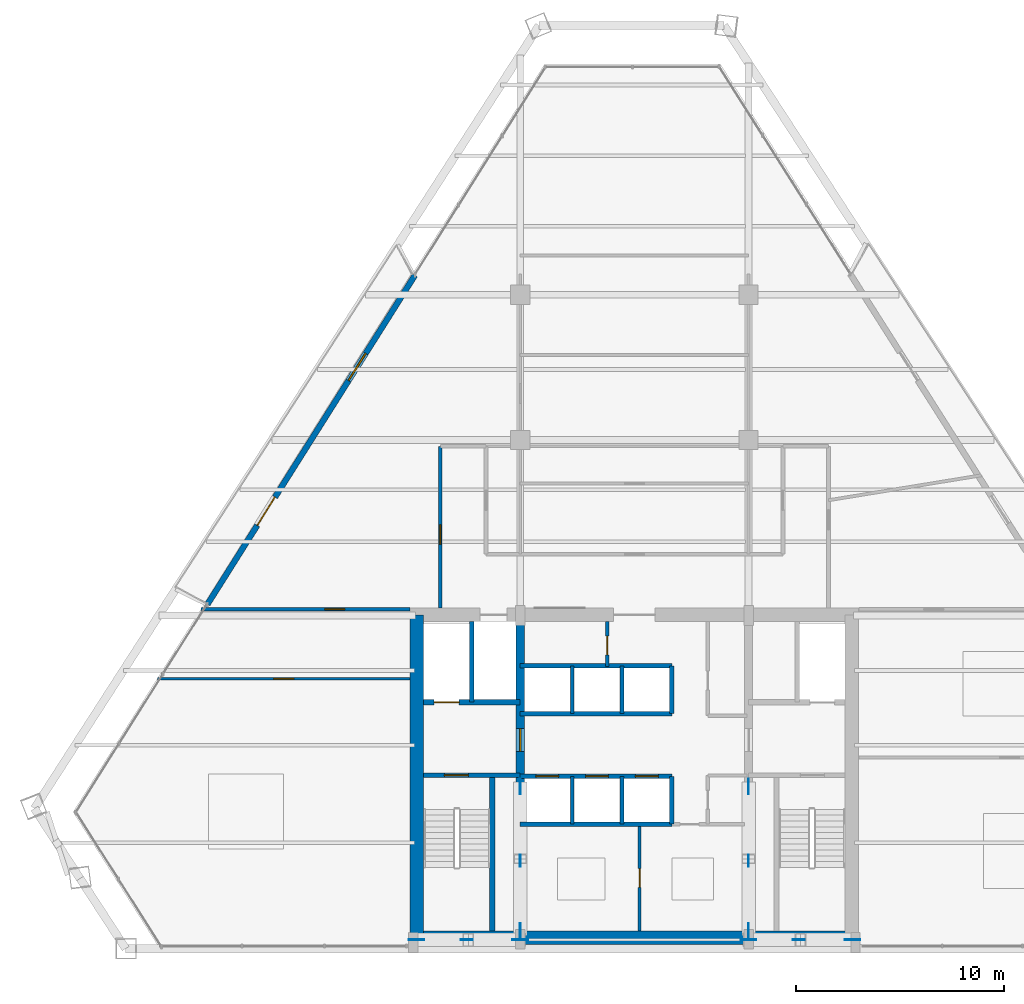
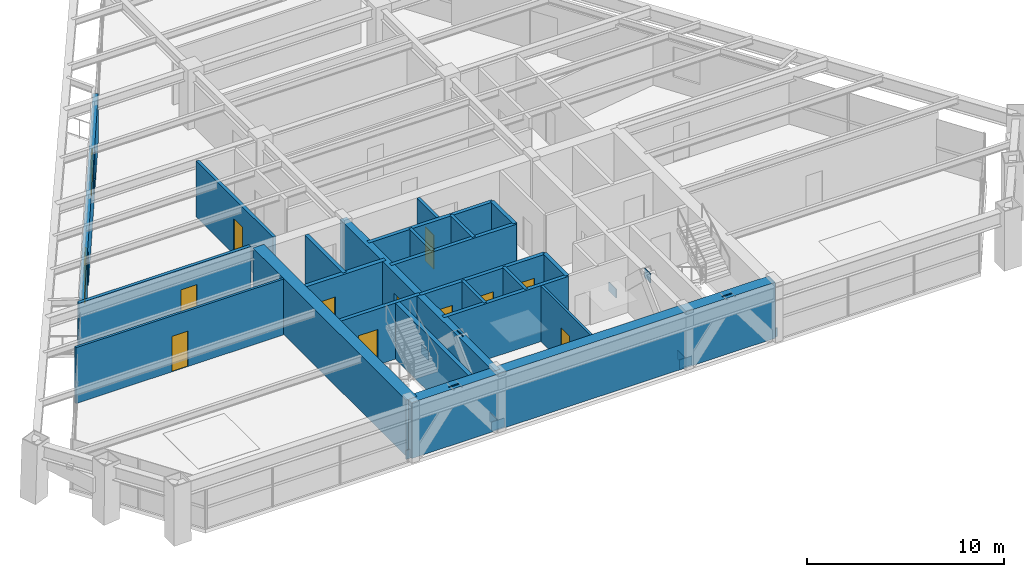
# One storey, part 11 of 15: 23 walls, 12 doors, 12 plates, 1 window, 13 openings.
"""IFC4 building model written with IfcOpenShell, lengths in metres."""

from ifc_helpers import new_model, si_unit, direction, frame, frame_2d, origin, origin_2d, place, context, subcontext, project, spatial, rectangle, extrude, source, transform, mapped, material, layer, layer_set, type_object, type_shapes, element, fill, save


model = new_model("IFC4")

# Units and contexts
model_context = context("Model", 3, precision=1e-05, world=origin(), true_north=direction((0.0, 1.0)))
body_context = subcontext(model_context, "Body", "Model", "MODEL_VIEW")
ifc_project = project(units=[si_unit("LENGTHUNIT", "METRE"), si_unit("AREAUNIT", "SQUARE_METRE"), si_unit("VOLUMEUNIT", "CUBIC_METRE"), si_unit("PLANEANGLEUNIT", "RADIAN"), si_unit("MASSUNIT", "GRAM", prefix="KILO")], contexts=[model_context])

# Site, building, storey
site_placement = place(None, origin())
site = spatial("IfcSite", under=ifc_project, at=site_placement, CompositionType="ELEMENT")
building_placement = place(site_placement, origin())
building = spatial("IfcBuilding", under=site, at=building_placement, Name="Varnakhor Terracotta Tower", CompositionType="ELEMENT")
storey_placement = place(building_placement, frame((0.0, 0.0, 171.0)))
storey = spatial("IfcBuildingStorey", under=building, at=storey_placement, Name="L43", CompositionType="ELEMENT", Elevation=171.0)

# Plates
ifc_material_1 = material(Name="Steel S460", Category="steel")
ifc_layer_1 = layer(ifc_material_1, 0.050048828125, Name="Steel S460")
ifc_layer_set_1 = layer_set([ifc_layer_1], Name="Steel S460")
plate_type = type_object("IfcPlateType", Name="PLT-GUSSET-50", PredefinedType="USERDEFINED", material=ifc_layer_set_1)
shared_shape_1 = source(origin(), body_context, "Body", "SweptSolid", [
    extrude(rectangle(XDim=0.75, YDim=0.0400390625, at=origin_2d()), origin(), (0.0, 0.0, 1.0), 0.550048828125),
])
type_shapes(plate_type, [shared_shape_1])
for number, where, z_axis, x_axis, name in (
    (1, (-10.5, 0.419921875, -0.09521484375), (0.0, 0.0, 1.0), (1.0, 0.0, 0.0), "L43 Core Brace Embed Plate CSWA"),
    (2, (-5.5, 0.419921875, -0.09521484375), (0.0, 0.0, 1.0), (1.0, 0.0, 0.0), "L43 Core Brace Embed Plate CSWB"),
    (3, (5.5, 0.419921875, -0.09521484375), (0.0, 0.0, 1.0), (1.0, 0.0, 0.0), "L43 Core Brace Embed Plate CSEA"),
    (4, (10.5, 0.419921875, -0.09521484375), (0.0, 0.0, 1.0), (1.0, 0.0, 0.0), "L43 Core Brace Embed Plate CSEB"),
    (5, (-5.5, 0.85009765625, -0.09521484375), (0.0, 0.0, 1.0), (0.0, 1.0, 0.0), "L43 Core Brace Embed Plate CWWA"),
    (6, (-5.5, 7.800048828125, -0.09521484375), (0.0, 0.0, 1.0), (0.0, 1.0, 0.0), "L43 Core Brace Embed Plate CWWB"),
    (7, (5.5, 0.85009765625, -0.09521484375), (0.0, 0.0, 1.0), (0.0, 1.0, 0.0), "L43 Core Brace Embed Plate CWEA"),
    (8, (5.5, 7.800048828125, -0.09521484375), (0.0, 0.0, 1.0), (0.0, 1.0, 0.0), "L43 Core Brace Embed Plate CWEB"),
):
    element("IfcPlate", number, at=place(storey_placement, frame(where, z_axis=z_axis, x_axis=x_axis)), inside=storey, type_object=plate_type, Name=name, ObjectType="GUSSET PLATE", PredefinedType="USERDEFINED", context=body_context, shape_type="MappedRepresentation", body=[
        mapped(shared_shape_1, transform((0.0, 0.0, 0.0), scale=1.0)),
    ])
shared_shape_2 = source(origin(), body_context, "Body", "SweptSolid", [
    extrude(rectangle(XDim=0.580078125, YDim=0.0400390625, at=origin_2d()), origin(), (0.0, 0.0, 1.0), 0.580078125),
])
for number, where, z_axis, x_axis, name in (
    (9, (-8.072265625, 0.419921875, 2.93408203125), (0.0, 0.0, 1.0), (1.0, 0.0, 0.0), "L43 Brace End Connection Plate 172"),
    (10, (7.927734375, 0.419921875, 2.93408203125), (0.0, 0.0, 1.0), (1.0, 0.0, 0.0), "L43 Brace End Connection Plate 173"),
    (11, (-5.5, 4.23828125, 2.947021484375), (0.0, 0.0, 1.0), (0.0, 1.0, 0.0), "L43 Brace End Connection Plate 174"),
    (12, (5.5, 4.23828125, 2.947021484375), (0.0, 0.0, 1.0), (0.0, 1.0, 0.0), "L43 Brace End Connection Plate 175"),
):
    element("IfcPlate", number, at=place(storey_placement, frame(where, z_axis=z_axis, x_axis=x_axis)), inside=storey, type_object=plate_type, Name=name, ObjectType="GUSSET PLATE", PredefinedType="USERDEFINED", context=body_context, shape_type="MappedRepresentation", body=[
        mapped(shared_shape_2, transform((0.0, 0.0, 0.0), scale=1.0)),
    ])

# Walls
ifc_material_2 = material(Name="Concrete C50/60", Category="concrete")
ifc_layer_2 = layer(ifc_material_2, 0.64990234375, Name="Concrete C50/60")
ifc_layer_set_2 = layer_set([ifc_layer_2], Name="Concrete C50/60")
wall_type_1 = type_object("IfcWallType", Name="WAL-CORE-650", PredefinedType="SHEAR", material=ifc_layer_set_2)
wall_1_placement = place(storey_placement, frame((-10.64990234375, 0.52490234375, 0.0), z_axis=(0.0, 0.0, 1.0), x_axis=(1.0, 0.0, 0.0)))
element("IfcWall", 13, at=wall_1_placement, inside=storey, type_object=wall_type_1, Name="L43 South Core Shear Wall", PredefinedType="SHEAR", context=body_context, shape_type="SweptSolid", body=[
    extrude(rectangle(XDim=21.2998046875, YDim=0.64990234375, at=frame_2d((10.64990234375, 0.0))), origin(), (0.0, 0.0, 1.0), 3.469970703125),
])
wall_2_placement = place(storey_placement, frame((-10.47509765625, 0.52490234375, 0.0), z_axis=(0.0, 0.0, 1.0), x_axis=(0.0, 1.0, 0.0)))
element("IfcWall", 14, at=wall_2_placement, inside=storey, type_object=wall_type_1, Name="L43 West Core Shear Wall", PredefinedType="SHEAR", context=body_context, shape_type="SweptSolid", body=[
    extrude(rectangle(XDim=15.550048828125, YDim=0.64990234375, at=frame_2d((7.77490234375, 0.0))), origin(), (0.0, 0.0, 1.0), 3.469970703125),
])

# Wall, opening, door
ifc_layer_3 = layer(ifc_material_2, 0.39990234375, Name="Concrete C50/60")
ifc_layer_set_3 = layer_set([ifc_layer_3], Name="Concrete C50/60")
wall_type_2 = type_object("IfcWallType", Name="WAL-CORE-WEB-400", PredefinedType="SHEAR", material=ifc_layer_set_3)
wall_3_placement = place(storey_placement, frame((-5.5, 0.52490234375, 0.0), z_axis=(0.0, 0.0, 1.0), x_axis=(0.0, 1.0, 0.0)))
wall_3 = element("IfcWall", 15, at=wall_3_placement, inside=storey, type_object=wall_type_2, Name="L43 West Core Web Shear Wall", PredefinedType="SHEAR", context=body_context, shape_type="SweptSolid", body=[
    extrude(rectangle(XDim=15.550048828125, YDim=0.39990234375, at=frame_2d((7.77490234375, 0.0))), origin(), (0.0, 0.0, 1.0), 3.469970703125),
])
opening_1_placement = place(wall_3_placement, frame((8.97509765625, 0.0, 0.0)))
opening_1 = element("IfcOpeningElement", 16, at=opening_1_placement, cuts=wall_3, Name="Opening DR-25", PredefinedType="OPENING", context=body_context, shape_type="SweptSolid", body=[
    extrude(rectangle(XDim=1.10009765625, YDim=2.199951171875, at=frame_2d((0.550048828125, 1.10009765625))), frame((0.0, 0.2099609375, 0.0), z_axis=(0.0, -1.0, 0.0), x_axis=(1.0, 0.0, 0.0)), (0.0, 0.0, 1.0), 0.419921875),
])
ifc_material_3 = material(Name="Firefighting Lobby Self-Closing Fire Door", Category="steel")
door_type_1 = type_object("IfcDoorType", Name="DR-FFL-1100X2200", OperationType="NOTDEFINED", PredefinedType="DOOR", material=ifc_material_3)
shared_shape_3 = source(origin(), body_context, "Body", "SweptSolid", [
    extrude(rectangle(XDim=1.10009765625, YDim=2.199951171875, at=frame_2d((0.550048828125, 1.10009765625))), frame((0.0, 0.02490234375, 0.0), z_axis=(0.0, -1.0, 0.0), x_axis=(1.0, 0.0, 0.0)), (0.0, 0.0, 1.0), 0.050048828125),
])
type_shapes(door_type_1, [shared_shape_3])
door_1_placement = place(opening_1_placement, origin())
door_1 = element("IfcDoor", 17, at=door_1_placement, inside=storey, type_object=door_type_1, Name="L43 West Firefighting Lobby Door", OperationType="SINGLE_SWING_LEFT", OverallHeight=2.199951171875, OverallWidth=1.10009765625, PredefinedType="DOOR", context=body_context, shape_type="MappedRepresentation", body=[
    mapped(shared_shape_3, transform((0.0, 0.0, 0.0), scale=1.0)),
])
fill(opening_1, door_1)

ifc_material_4 = material(Name="Fire-Rated Gypsum Stud Partition", Category="gypsum")
ifc_layer_4 = layer(ifc_material_4, 0.18505859375, Name="Fire-Rated Gypsum Stud Partition")
ifc_layer_set_4 = layer_set([ifc_layer_4], Name="Fire-Rated Gypsum Stud Partition")
wall_type_3 = type_object("IfcWallType", Name="WAL-CORR-185", PredefinedType="PARTITIONING", material=ifc_layer_set_4)
wall_4_placement = place(storey_placement, frame((-9.35009765625, 16.39990234375, 0.0), z_axis=(0.0, 0.0, 1.0), x_axis=(0.0, 1.0, 0.0)))
wall_4 = element("IfcWall", 18, at=wall_4_placement, inside=storey, type_object=wall_type_3, Name="L43 West Gallery Outer Wall", PredefinedType="PARTITIONING", context=body_context, shape_type="SweptSolid", body=[
    extrude(rectangle(XDim=7.800048828125, YDim=0.18505859375, at=frame_2d((3.89990234375, 0.0))), origin(), (0.0, 0.0, 1.0), 3.4619140625),
])
opening_2_placement = place(wall_4_placement, frame((3.069091796875, 0.0, 0.0)))
opening_2 = element("IfcOpeningElement", 19, at=opening_2_placement, cuts=wall_4, Name="Opening DR-94", PredefinedType="OPENING", context=body_context, shape_type="SweptSolid", body=[
    extrude(rectangle(XDim=0.949951171875, YDim=2.199951171875, at=frame_2d((0.47509765625, 1.10009765625))), frame((0.0, 0.1025390625, 0.0), z_axis=(0.0, -1.0, 0.0), x_axis=(1.0, 0.0, 0.0)), (0.0, 0.0, 1.0), 0.205078125),
])
ifc_material_5 = material(Name="Acoustic Glazed-Vision Timber Office Door", Category="wood")
door_type_2 = type_object("IfcDoorType", Name="DR-OFF-950X2200", OperationType="NOTDEFINED", PredefinedType="DOOR", material=ifc_material_5)
shared_shape_4 = source(origin(), body_context, "Body", "SweptSolid", [
    extrude(rectangle(XDim=0.949951171875, YDim=2.199951171875, at=frame_2d((0.47509765625, 1.10009765625))), frame((0.0, 0.02490234375, 0.0), z_axis=(0.0, -1.0, 0.0), x_axis=(1.0, 0.0, 0.0)), (0.0, 0.0, 1.0), 0.050048828125),
])
type_shapes(door_type_2, [shared_shape_4])
door_2_placement = place(opening_2_placement, origin())
door_2 = element("IfcDoor", 20, at=door_2_placement, inside=storey, type_object=door_type_2, Name="L43 West Wing Door", OperationType="SINGLE_SWING_RIGHT", OverallHeight=2.199951171875, OverallWidth=0.949951171875, PredefinedType="DOOR", context=body_context, shape_type="MappedRepresentation", body=[
    mapped(shared_shape_4, transform((0.0, 0.0, 0.0), scale=1.0)),
])
fill(opening_2, door_2)

wall_5_placement = place(storey_placement, frame((-20.8720703125, 16.35009765625, 0.0), z_axis=(0.0, 0.0, 1.0), x_axis=(1.0, 0.0, 0.0)))
wall_5 = element("IfcWall", 21, at=wall_5_placement, inside=storey, type_object=wall_type_3, Name="L43 South West Entry Wall", PredefinedType="PARTITIONING", context=body_context, shape_type="SweptSolid", body=[
    extrude(rectangle(XDim=10.052001953125, YDim=0.18505859375, at=frame_2d((5.02587890625, 0.0))), origin(), (0.0, 0.0, 1.0), 3.4619140625),
])
opening_3_placement = place(wall_5_placement, frame((5.956787109375, 0.0, 0.0)))
opening_3 = element("IfcOpeningElement", 22, at=opening_3_placement, cuts=wall_5, Name="Opening DR-94", PredefinedType="OPENING", context=body_context, shape_type="SweptSolid", body=[
    extrude(rectangle(XDim=0.949951171875, YDim=2.199951171875, at=frame_2d((0.47509765625, 1.10009765625))), frame((0.0, 0.1025390625, 0.0), z_axis=(0.0, -1.0, 0.0), x_axis=(1.0, 0.0, 0.0)), (0.0, 0.0, 1.0), 0.205078125),
])
door_3_placement = place(opening_3_placement, origin())
door_3 = element("IfcDoor", 23, at=door_3_placement, inside=storey, type_object=door_type_2, Name="L43 SW Suite Door", OperationType="SINGLE_SWING_RIGHT", OverallHeight=2.199951171875, OverallWidth=0.949951171875, PredefinedType="DOOR", context=body_context, shape_type="MappedRepresentation", body=[
    mapped(shared_shape_4, transform((0.0, 0.0, 0.0), scale=1.0)),
])
fill(opening_3, door_3)

# Wall, openings, door, window
ifc_material_6 = material(Name="Extruded Architectural Terracotta Assembly", Category="masonry")
ifc_layer_5 = layer(ifc_material_6, 0.280029296875, Name="Extruded Architectural Terracotta Assembly")
ifc_layer_set_5 = layer_set([ifc_layer_5], Name="Extruded Architectural Terracotta Assembly")
wall_type_4 = type_object("IfcWallType", Name="WAL-EXT-TERRACOTTA-280", PredefinedType="SOLIDWALL", material=ifc_layer_set_5)
wall_6_placement = place(storey_placement, frame((-20.566650390625, 16.5908203125, 0.0), z_axis=(0.0, 0.0, 1.0), x_axis=(0.533393167882, 0.845867441421, 0.0)))
wall_6 = element("IfcWall", 24, at=wall_6_placement, inside=storey, type_object=wall_type_4, Name="L43 W Loggia Insulated Terracotta Wall", PredefinedType="SOLIDWALL", context=body_context, shape_type="SweptSolid", body=[
    extrude(rectangle(XDim=18.73291015625, YDim=0.280029296875, at=frame_2d((9.366455078125, 0.0))), origin(), (0.0, 0.0, 1.0), 3.050048828125),
])
opening_4_placement = place(wall_6_placement, frame((4.495849609375, 0.0, 0.0)))
opening_4 = element("IfcOpeningElement", 25, at=opening_4_placement, cuts=wall_6, Name="Opening DR-62", PredefinedType="OPENING", context=body_context, shape_type="SweptSolid", body=[
    extrude(rectangle(XDim=1.60009765625, YDim=2.35009765625, at=frame_2d((0.800048828125, 1.175048828125))), frame((0.0, 0.14990234375, 0.0), z_axis=(0.0, -1.0, 0.0), x_axis=(1.0, 0.0, 0.0)), (0.0, 0.0, 1.0), 0.300048828125),
])
opening_5_placement = place(wall_6_placement, frame((12.738525390625, 0.0, 0.89990234375)))
opening_5 = element("IfcOpeningElement", 26, at=opening_5_placement, cuts=wall_6, Name="Opening WN-57", PredefinedType="OPENING", context=body_context, shape_type="SweptSolid", body=[
    extrude(rectangle(XDim=1.550048828125, YDim=1.85009765625, at=frame_2d((0.77490234375, 0.925048828125))), frame((0.0, 0.14990234375, 0.0), z_axis=(0.0, -1.0, 0.0), x_axis=(1.0, 0.0, 0.0)), (0.0, 0.0, 1.0), 0.300048828125),
])
ifc_material_7 = material(Name="Thermally Broken Sliding Glass Loggia Door", Category="glass")
door_type_3 = type_object("IfcDoorType", Name="DR-EXT-LOGGIA-1600X2350", OperationType="NOTDEFINED", PredefinedType="DOOR", material=ifc_material_7)
shared_shape_5 = source(origin(), body_context, "Body", "SweptSolid", [
    extrude(rectangle(XDim=1.60009765625, YDim=2.35009765625, at=frame_2d((0.800048828125, 1.175048828125))), frame((0.0, 0.02490234375, 0.0), z_axis=(0.0, -1.0, 0.0), x_axis=(1.0, 0.0, 0.0)), (0.0, 0.0, 1.0), 0.050048828125),
])
type_shapes(door_type_3, [shared_shape_5])
door_4_placement = place(opening_4_placement, origin())
door_4 = element("IfcDoor", 27, at=door_4_placement, inside=storey, type_object=door_type_3, Name="L43 W Recessed Loggia Sliding Door", OperationType="SLIDING_TO_LEFT", OverallHeight=2.35009765625, OverallWidth=1.60009765625, PredefinedType="DOOR", context=body_context, shape_type="MappedRepresentation", body=[
    mapped(shared_shape_5, transform((0.0, 0.0, 0.0), scale=1.0)),
])
fill(opening_4, door_4)
ifc_material_8 = material(Name="Solar-Control Low-E Insulated Glass Unit", Category="glass")
window_type = type_object("IfcWindowType", Name="WIN-OFF-1650X2100", PartitioningType="SINGLE_PANEL", PredefinedType="WINDOW", material=ifc_material_8)
shared_shape_6 = source(origin(), body_context, "Body", "SweptSolid", [
    extrude(rectangle(XDim=1.550048828125, YDim=1.85009765625, at=frame_2d((0.77490234375, 0.925048828125))), frame((0.0, 0.030029296875, 0.0), z_axis=(0.0, -1.0, 0.0), x_axis=(1.0, 0.0, 0.0)), (0.0, 0.0, 1.0), 0.06005859375),
])
type_shapes(window_type, [shared_shape_6])
window_placement = place(opening_5_placement, origin())
window = element("IfcWindow", 28, at=window_placement, inside=storey, type_object=window_type, Name="L43 W Facet Punched Window", OverallHeight=1.85009765625, OverallWidth=1.550048828125, PartitioningType="SINGLE_PANEL", PredefinedType="WINDOW", context=body_context, shape_type="MappedRepresentation", body=[
    mapped(shared_shape_6, transform((0.0, 0.0, 0.0), scale=1.0)),
])
fill(opening_5, window)

# Wall, opening, door
ifc_material_9 = material(Name="Concrete C40/50", Category="concrete")
ifc_layer_6 = layer(ifc_material_9, 0.219970703125, Name="Concrete C40/50")
ifc_layer_set_6 = layer_set([ifc_layer_6], Name="Concrete C40/50")
wall_type_5 = type_object("IfcWallType", Name="WAL-FFLOBBY-220", PredefinedType="SOLIDWALL", material=ifc_layer_set_6)
wall_7_placement = place(storey_placement, frame((-5.5, 8.35009765625, 0.0), z_axis=(0.0, 0.0, 1.0), x_axis=(-1.0, 0.0, 0.0)))
wall_7 = element("IfcWall", 29, at=wall_7_placement, inside=storey, type_object=wall_type_5, Name="L43 West Firefighting Lobby Stair Wall", PredefinedType="SOLIDWALL", context=body_context, shape_type="SweptSolid", body=[
    extrude(rectangle(XDim=4.64990234375, YDim=0.219970703125, at=frame_2d((2.324951171875, 0.0))), origin(), (0.0, 0.0, 1.0), 3.469970703125),
])
opening_6_placement = place(wall_7_placement, frame((2.5, 0.0, 0.0)))
opening_6 = element("IfcOpeningElement", 30, at=opening_6_placement, cuts=wall_7, Name="Opening DR-34", PredefinedType="OPENING", context=body_context, shape_type="SweptSolid", body=[
    extrude(rectangle(XDim=1.14990234375, YDim=2.199951171875, at=frame_2d((0.574951171875, 1.10009765625))), frame((0.0, 0.1201171875, 0.0), z_axis=(0.0, -1.0, 0.0), x_axis=(1.0, 0.0, 0.0)), (0.0, 0.0, 1.0), 0.239990234375),
])
ifc_material_10 = material(Name="Self-Closing Smoke-Sealed Steel Fire Door", Category="steel")
door_type_4 = type_object("IfcDoorType", Name="DR-STAIR-1150X2200", OperationType="NOTDEFINED", PredefinedType="DOOR", material=ifc_material_10)
shared_shape_7 = source(origin(), body_context, "Body", "SweptSolid", [
    extrude(rectangle(XDim=1.14990234375, YDim=2.199951171875, at=frame_2d((0.574951171875, 1.10009765625))), frame((0.0, 0.02490234375, 0.0), z_axis=(0.0, -1.0, 0.0), x_axis=(1.0, 0.0, 0.0)), (0.0, 0.0, 1.0), 0.050048828125),
])
type_shapes(door_type_4, [shared_shape_7])
door_5_placement = place(opening_6_placement, origin())
door_5 = element("IfcDoor", 31, at=door_5_placement, inside=storey, type_object=door_type_4, Name="L43 Exit Stair ST-1 Fire Door", OperationType="SINGLE_SWING_RIGHT", OverallHeight=2.199951171875, OverallWidth=1.14990234375, PredefinedType="DOOR", context=body_context, shape_type="MappedRepresentation", body=[
    mapped(shared_shape_7, transform((0.0, 0.0, 0.0), scale=1.0)),
])
fill(opening_6, door_5)

ifc_material_11 = material(Name="Acoustic Metal-Stud Partition", Category="gypsum")
ifc_layer_7 = layer(ifc_material_11, 0.139892578125, Name="Acoustic Metal-Stud Partition")
ifc_layer_set_7 = layer_set([ifc_layer_7], Name="Acoustic Metal-Stud Partition")
wall_type_6 = type_object("IfcWallType", Name="WAL-PART-140", PredefinedType="PARTITIONING", material=ifc_layer_set_7)
wall_8_placement = place(storey_placement, frame((-22.984375, 13.0, 0.0), z_axis=(0.0, 0.0, 1.0), x_axis=(1.0, 0.0, 0.0)))
wall_8 = element("IfcWall", 32, at=wall_8_placement, inside=storey, type_object=wall_type_6, Name="L43 West Wing Cut 1", PredefinedType="PARTITIONING", context=body_context, shape_type="SweptSolid", body=[
    extrude(rectangle(XDim=12.164306640625, YDim=0.139892578125, at=frame_2d((6.08203125, 0.0))), origin(), (0.0, 0.0, 1.0), 3.4619140625),
])
opening_7_placement = place(wall_8_placement, frame((5.614501953125, 0.0, 0.0)))
opening_7 = element("IfcOpeningElement", 33, at=opening_7_placement, cuts=wall_8, Name="Opening DR-94", PredefinedType="OPENING", context=body_context, shape_type="SweptSolid", body=[
    extrude(rectangle(XDim=0.949951171875, YDim=2.199951171875, at=frame_2d((0.47509765625, 1.10009765625))), frame((0.0, 0.080078125, 0.0), z_axis=(0.0, -1.0, 0.0), x_axis=(1.0, 0.0, 0.0)), (0.0, 0.0, 1.0), 0.159912109375),
])
door_6_placement = place(opening_7_placement, origin())
door_6 = element("IfcDoor", 34, at=door_6_placement, inside=storey, type_object=door_type_2, Name="L43 Clinic First Aid Room Door", OperationType="SINGLE_SWING_LEFT", OverallHeight=2.199951171875, OverallWidth=0.949951171875, PredefinedType="DOOR", context=body_context, shape_type="MappedRepresentation", body=[
    mapped(shared_shape_4, transform((0.0, 0.0, 0.0), scale=1.0)),
])
fill(opening_7, door_6)

# Walls
ifc_layer_8 = layer(ifc_material_9, 0.179931640625, Name="Concrete C40/50")
ifc_layer_set_8 = layer_set([ifc_layer_8], Name="Concrete C40/50")
wall_type_7 = type_object("IfcWallType", Name="WAL-SHAFT-180", PredefinedType="SOLIDWALL", material=ifc_layer_set_8)
for number, where, z_axis, x_axis, name in (
    (35, (-3.0, 6.0, 0.0), (0.0, 0.0, 1.0), (0.0, 1.0, 0.0), "L43 PL-2A Divider"),
    (36, (-0.60009765625, 6.0, 0.0), (0.0, 0.0, 1.0), (0.0, 1.0, 0.0), "L43 PL-2B Divider"),
    (37, (-3.0, 11.320068359375, 0.0), (0.0, 0.0, 1.0), (0.0, 1.0, 0.0), "L43 PL-3A Divider"),
    (38, (-0.60009765625, 11.320068359375, 0.0), (0.0, 0.0, 1.0), (0.0, 1.0, 0.0), "L43 PL-3B Divider"),
):
    element("IfcWall", number, at=place(storey_placement, frame(where, z_axis=z_axis, x_axis=x_axis)), inside=storey, type_object=wall_type_7, Name=name, PredefinedType="SOLIDWALL", context=body_context, shape_type="SweptSolid", body=[
        extrude(rectangle(XDim=2.300048828125, YDim=0.179931640625, at=frame_2d((1.14990234375, 0.0))), origin(), (0.0, 0.0, 1.0), 3.469970703125),
    ])
ifc_layer_9 = layer(ifc_material_9, 0.219970703125, Name="Concrete C40/50")
ifc_layer_set_9 = layer_set([ifc_layer_9], Name="Concrete C40/50")
wall_type_8 = type_object("IfcWallType", Name="WAL-SHAFT-220", PredefinedType="SOLIDWALL", material=ifc_layer_set_9)
wall_9_placement = place(storey_placement, frame((-7.840087890625, 11.8701171875, 0.0), z_axis=(0.0, 0.0, 1.0), x_axis=(0.0, 1.0, 0.0)))
element("IfcWall", 39, at=wall_9_placement, inside=storey, type_object=wall_type_8, Name="L43 Lift FFL-1 and SVL-1 Divider Wall", PredefinedType="SOLIDWALL", context=body_context, shape_type="SweptSolid", body=[
    extrude(rectangle(XDim=3.8798828125, YDim=0.219970703125, at=frame_2d((1.93994140625, 0.0))), origin(), (0.0, 0.0, 1.0), 3.469970703125),
])
wall_10_placement = place(storey_placement, frame((-5.5, 6.0, 0.0), z_axis=(0.0, 0.0, 1.0), x_axis=(1.0, 0.0, 0.0)))
element("IfcWall", 40, at=wall_10_placement, inside=storey, type_object=wall_type_8, Name="L43 Bank 2 South Shaft Wall", PredefinedType="SOLIDWALL", context=body_context, shape_type="SweptSolid", body=[
    extrude(rectangle(XDim=7.320068359375, YDim=0.219970703125, at=frame_2d((3.66015625, 0.0))), origin(), (0.0, 0.0, 1.0), 3.469970703125),
])

# Wall, openings, doors
wall_11_placement = place(storey_placement, frame((-5.5, 8.300048828125, 0.0), z_axis=(0.0, 0.0, 1.0), x_axis=(1.0, 0.0, 0.0)))
wall_11 = element("IfcWall", 41, at=wall_11_placement, inside=storey, type_object=wall_type_8, Name="L43 Bank 2 North Shaft Wall", PredefinedType="SOLIDWALL", context=body_context, shape_type="SweptSolid", body=[
    extrude(rectangle(XDim=7.320068359375, YDim=0.219970703125, at=frame_2d((3.66015625, 0.0))), origin(), (0.0, 0.0, 1.0), 3.469970703125),
])
opening_8_placement = place(wall_11_placement, frame((0.75, 0.0, 0.0)))
opening_8 = element("IfcOpeningElement", 42, at=opening_8_placement, cuts=wall_11, Name="Opening LD-01", PredefinedType="OPENING", context=body_context, shape_type="SweptSolid", body=[
    extrude(rectangle(XDim=1.10009765625, YDim=2.199951171875, at=frame_2d((0.550048828125, 1.10009765625))), frame((0.0, 0.1201171875, 0.0), z_axis=(0.0, -1.0, 0.0), x_axis=(1.0, 0.0, 0.0)), (0.0, 0.0, 1.0), 0.239990234375),
])
opening_9_placement = place(wall_11_placement, frame((3.14990234375, 0.0, 0.0)))
opening_9 = element("IfcOpeningElement", 43, at=opening_9_placement, cuts=wall_11, Name="Opening LD-01", PredefinedType="OPENING", context=body_context, shape_type="SweptSolid", body=[
    extrude(rectangle(XDim=1.10009765625, YDim=2.199951171875, at=frame_2d((0.550048828125, 1.10009765625))), frame((0.0, 0.1201171875, 0.0), z_axis=(0.0, -1.0, 0.0), x_axis=(1.0, 0.0, 0.0)), (0.0, 0.0, 1.0), 0.239990234375),
])
opening_10_placement = place(wall_11_placement, frame((5.550048828125, 0.0, 0.0)))
opening_10 = element("IfcOpeningElement", 44, at=opening_10_placement, cuts=wall_11, Name="Opening LD-01", PredefinedType="OPENING", context=body_context, shape_type="SweptSolid", body=[
    extrude(rectangle(XDim=1.10009765625, YDim=2.199951171875, at=frame_2d((0.550048828125, 1.10009765625))), frame((0.0, 0.1201171875, 0.0), z_axis=(0.0, -1.0, 0.0), x_axis=(1.0, 0.0, 0.0)), (0.0, 0.0, 1.0), 0.239990234375),
])
ifc_material_12 = material(Name="Brushed Stainless Steel Sliding Lift Landing Door", Category="steel")
door_type_5 = type_object("IfcDoorType", Name="LD-PASS-1100X2200", OperationType="NOTDEFINED", PredefinedType="DOOR", material=ifc_material_12)
shared_shape_8 = source(origin(), body_context, "Body", "SweptSolid", [
    extrude(rectangle(XDim=1.10009765625, YDim=2.199951171875, at=frame_2d((0.550048828125, 1.10009765625))), frame((0.0, 0.02490234375, 0.0), z_axis=(0.0, -1.0, 0.0), x_axis=(1.0, 0.0, 0.0)), (0.0, 0.0, 1.0), 0.050048828125),
])
type_shapes(door_type_5, [shared_shape_8])
door_7_placement = place(opening_8_placement, origin())
door_7 = element("IfcDoor", 45, at=door_7_placement, inside=storey, type_object=door_type_5, Name="L43 Passenger Lift PL-2A Landing Door", OperationType="SLIDING_TO_LEFT", OverallHeight=2.199951171875, OverallWidth=1.10009765625, PredefinedType="DOOR", context=body_context, shape_type="MappedRepresentation", body=[
    mapped(shared_shape_8, transform((0.0, 0.0, 0.0), scale=1.0)),
])
fill(opening_8, door_7)
door_8_placement = place(opening_9_placement, origin())
door_8 = element("IfcDoor", 46, at=door_8_placement, inside=storey, type_object=door_type_5, Name="L43 Passenger Lift PL-2B Landing Door", OperationType="SLIDING_TO_LEFT", OverallHeight=2.199951171875, OverallWidth=1.10009765625, PredefinedType="DOOR", context=body_context, shape_type="MappedRepresentation", body=[
    mapped(shared_shape_8, transform((0.0, 0.0, 0.0), scale=1.0)),
])
fill(opening_9, door_8)
door_9_placement = place(opening_10_placement, origin())
door_9 = element("IfcDoor", 47, at=door_9_placement, inside=storey, type_object=door_type_5, Name="L43 Passenger Lift PL-2C Landing Door", OperationType="SLIDING_TO_LEFT", OverallHeight=2.199951171875, OverallWidth=1.10009765625, PredefinedType="DOOR", context=body_context, shape_type="MappedRepresentation", body=[
    mapped(shared_shape_8, transform((0.0, 0.0, 0.0), scale=1.0)),
])
fill(opening_10, door_9)

# Walls
wall_12_placement = place(storey_placement, frame((1.800048828125, 6.0, 0.0), z_axis=(0.0, 0.0, 1.0), x_axis=(0.0, 1.0, 0.0)))
element("IfcWall", 48, at=wall_12_placement, inside=storey, type_object=wall_type_8, Name="L43 Bank 2 East Shaft Wall", PredefinedType="SOLIDWALL", context=body_context, shape_type="SweptSolid", body=[
    extrude(rectangle(XDim=2.300048828125, YDim=0.219970703125, at=frame_2d((1.14990234375, 0.0))), origin(), (0.0, 0.0, 1.0), 3.469970703125),
])
for number, where, z_axis, x_axis, name in (
    (49, (-5.5, 11.320068359375, 0.0), (0.0, 0.0, 1.0), (1.0, 0.0, 0.0), "L43 Bank 3 South Shaft Wall"),
    (50, (-5.5, 13.6201171875, 0.0), (0.0, 0.0, 1.0), (1.0, 0.0, 0.0), "L43 Bank 3 North Shaft Wall"),
):
    element("IfcWall", number, at=place(storey_placement, frame(where, z_axis=z_axis, x_axis=x_axis)), inside=storey, type_object=wall_type_8, Name=name, PredefinedType="SOLIDWALL", context=body_context, shape_type="SweptSolid", body=[
        extrude(rectangle(XDim=7.320068359375, YDim=0.219970703125, at=frame_2d((3.66015625, 0.0))), origin(), (0.0, 0.0, 1.0), 3.469970703125),
    ])
wall_13_placement = place(storey_placement, frame((1.800048828125, 11.320068359375, 0.0), z_axis=(0.0, 0.0, 1.0), x_axis=(0.0, 1.0, 0.0)))
element("IfcWall", 51, at=wall_13_placement, inside=storey, type_object=wall_type_8, Name="L43 Bank 3 East Shaft Wall", PredefinedType="SOLIDWALL", context=body_context, shape_type="SweptSolid", body=[
    extrude(rectangle(XDim=2.300048828125, YDim=0.219970703125, at=frame_2d((1.14990234375, 0.0))), origin(), (0.0, 0.0, 1.0), 3.469970703125),
])
ifc_layer_10 = layer(ifc_material_9, 0.25, Name="Concrete C40/50")
ifc_layer_set_10 = layer_set([ifc_layer_10], Name="Concrete C40/50")
wall_type_9 = type_object("IfcWallType", Name="WAL-SHAFT-250", PredefinedType="SOLIDWALL", material=ifc_layer_set_10)
wall_14_placement = place(storey_placement, frame((-6.85009765625, 0.85009765625, 0.0), z_axis=(0.0, 0.0, 1.0), x_axis=(0.0, 1.0, 0.0)))
element("IfcWall", 52, at=wall_14_placement, inside=storey, type_object=wall_type_9, Name="L43 Stair ST-1 Bearing Shaft Wall", PredefinedType="SOLIDWALL", context=body_context, shape_type="SweptSolid", body=[
    extrude(rectangle(XDim=7.5, YDim=0.25, at=frame_2d((3.75, 0.0))), origin(), (0.0, 0.0, 1.0), 3.469970703125),
])

# Wall, opening, door
wall_15_placement = place(storey_placement, frame((-5.5, 11.8701171875, 0.0), z_axis=(0.0, 0.0, 1.0), x_axis=(-1.0, 0.0, 0.0)))
wall_15 = element("IfcWall", 53, at=wall_15_placement, inside=storey, type_object=wall_type_9, Name="L43 Lift FFL-1 Shaft Front Wall", PredefinedType="SOLIDWALL", context=body_context, shape_type="SweptSolid", body=[
    extrude(rectangle(XDim=4.64990234375, YDim=0.25, at=frame_2d((2.324951171875, 0.0))), origin(), (0.0, 0.0, 1.0), 3.469970703125),
])
opening_11_placement = place(wall_15_placement, frame((2.949951171875, 0.0, 0.0)))
opening_11 = element("IfcOpeningElement", 54, at=opening_11_placement, cuts=wall_15, Name="Opening LD-02", PredefinedType="OPENING", context=body_context, shape_type="SweptSolid", body=[
    extrude(rectangle(XDim=1.199951171875, YDim=2.25, at=frame_2d((0.60009765625, 1.125))), frame((0.0, 0.135009765625, 0.0), z_axis=(0.0, -1.0, 0.0), x_axis=(1.0, 0.0, 0.0)), (0.0, 0.0, 1.0), 0.27001953125),
])
ifc_material_13 = material(Name="Firefighting Stretcher Sliding Lift Landing Door", Category="steel")
door_type_6 = type_object("IfcDoorType", Name="LD-FFL-1200X2250", OperationType="NOTDEFINED", PredefinedType="DOOR", material=ifc_material_13)
shared_shape_9 = source(origin(), body_context, "Body", "SweptSolid", [
    extrude(rectangle(XDim=1.199951171875, YDim=2.25, at=frame_2d((0.60009765625, 1.125))), frame((0.0, 0.02490234375, 0.0), z_axis=(0.0, -1.0, 0.0), x_axis=(1.0, 0.0, 0.0)), (0.0, 0.0, 1.0), 0.050048828125),
])
type_shapes(door_type_6, [shared_shape_9])
door_10_placement = place(opening_11_placement, origin())
door_10 = element("IfcDoor", 55, at=door_10_placement, inside=storey, type_object=door_type_6, Name="L43 Firefighting Lift FFL-1 Landing Door", OperationType="SLIDING_TO_LEFT", OverallHeight=2.25, OverallWidth=1.199951171875, PredefinedType="DOOR", context=body_context, shape_type="MappedRepresentation", body=[
    mapped(shared_shape_9, transform((0.0, 0.0, 0.0), scale=1.0)),
])
fill(opening_11, door_10)

ifc_material_14 = material(Name="Acoustic Fire-Rated Partition", Category="gypsum")
ifc_layer_11 = layer(ifc_material_14, 0.139892578125, Name="Acoustic Fire-Rated Partition")
ifc_layer_set_11 = layer_set([ifc_layer_11], Name="Acoustic Fire-Rated Partition")
wall_type_10 = type_object("IfcWallType", Name="WAL-TENANCY-140", PredefinedType="PARTITIONING", material=ifc_layer_set_11)
wall_16_placement = place(storey_placement, frame((0.25, 0.85009765625, 0.0), z_axis=(0.0, 0.0, 1.0), x_axis=(0.0, 1.0, 0.0)))
wall_16 = element("IfcWall", 56, at=wall_16_placement, inside=storey, type_object=wall_type_10, Name="L43 Reclaimed Core Bay Split Wall", PredefinedType="PARTITIONING", context=body_context, shape_type="SweptSolid", body=[
    extrude(rectangle(XDim=5.02978515625, YDim=0.139892578125, at=frame_2d((2.514892578125, 0.0))), origin(), (0.0, 0.0, 1.0), 3.4619140625),
])
opening_12_placement = place(wall_16_placement, frame((2.10009765625, 0.0, 0.0)))
opening_12 = element("IfcOpeningElement", 57, at=opening_12_placement, cuts=wall_16, Name="Opening DR-67", PredefinedType="OPENING", context=body_context, shape_type="SweptSolid", body=[
    extrude(rectangle(XDim=0.89990234375, YDim=2.10009765625, at=frame_2d((0.449951171875, 1.050048828125))), frame((0.0, 0.080078125, 0.0), z_axis=(0.0, -1.0, 0.0), x_axis=(1.0, 0.0, 0.0)), (0.0, 0.0, 1.0), 0.159912109375),
])
ifc_material_15 = material(Name="Steel Service Riser Fire Door", Category="steel")
door_type_7 = type_object("IfcDoorType", Name="DR-RISER-900X2100", OperationType="NOTDEFINED", PredefinedType="DOOR", material=ifc_material_15)
shared_shape_10 = source(origin(), body_context, "Body", "SweptSolid", [
    extrude(rectangle(XDim=0.89990234375, YDim=2.10009765625, at=frame_2d((0.449951171875, 1.050048828125))), frame((0.0, 0.02490234375, 0.0), z_axis=(0.0, -1.0, 0.0), x_axis=(1.0, 0.0, 0.0)), (0.0, 0.0, 1.0), 0.050048828125),
])
type_shapes(door_type_7, [shared_shape_10])
door_11_placement = place(opening_12_placement, origin())
door_11 = element("IfcDoor", 58, at=door_11_placement, inside=storey, type_object=door_type_7, Name="L43 Core Inner Service Door", OperationType="SINGLE_SWING_LEFT", OverallHeight=2.10009765625, OverallWidth=0.89990234375, PredefinedType="DOOR", context=body_context, shape_type="MappedRepresentation", body=[
    mapped(shared_shape_10, transform((0.0, 0.0, 0.0), scale=1.0)),
])
fill(opening_12, door_11)

ifc_layer_12 = layer(ifc_material_14, 0.1650390625, Name="Acoustic Fire-Rated Partition")
ifc_layer_set_12 = layer_set([ifc_layer_12], Name="Acoustic Fire-Rated Partition")
wall_type_11 = type_object("IfcWallType", Name="WAL-TENANCY-165", PredefinedType="PARTITIONING", material=ifc_layer_set_12)
wall_17_placement = place(storey_placement, frame((-1.300048828125, 13.60009765625, 0.0), z_axis=(0.0, 0.0, 1.0), x_axis=(0.0, 1.0, 0.0)))
wall_17 = element("IfcWall", 59, at=wall_17_placement, inside=storey, type_object=wall_type_11, Name="L43 Male Restroom Wall", PredefinedType="PARTITIONING", context=body_context, shape_type="SweptSolid", body=[
    extrude(rectangle(XDim=2.14990234375, YDim=0.1650390625, at=frame_2d((1.074951171875, 0.0))), origin(), (0.0, 0.0, 1.0), 3.4619140625),
])
opening_13_placement = place(wall_17_placement, frame((0.550048828125, 0.0, 0.0)))
opening_13 = element("IfcOpeningElement", 60, at=opening_13_placement, cuts=wall_17, Name="Opening DR-67", PredefinedType="OPENING", context=body_context, shape_type="SweptSolid", body=[
    extrude(rectangle(XDim=0.89990234375, YDim=2.10009765625, at=frame_2d((0.449951171875, 1.050048828125))), frame((0.0, 0.092529296875, 0.0), z_axis=(0.0, -1.0, 0.0), x_axis=(1.0, 0.0, 0.0)), (0.0, 0.0, 1.0), 0.18505859375),
])
door_12_placement = place(opening_13_placement, origin())
door_12 = element("IfcDoor", 61, at=door_12_placement, inside=storey, type_object=door_type_7, Name="L43 Male WC Door", OperationType="SINGLE_SWING_LEFT", OverallHeight=2.10009765625, OverallWidth=0.89990234375, PredefinedType="DOOR", context=body_context, shape_type="MappedRepresentation", body=[
    mapped(shared_shape_10, transform((0.0, 0.0, 0.0), scale=1.0)),
])
fill(opening_13, door_12)

save(model, "model.ifc")
